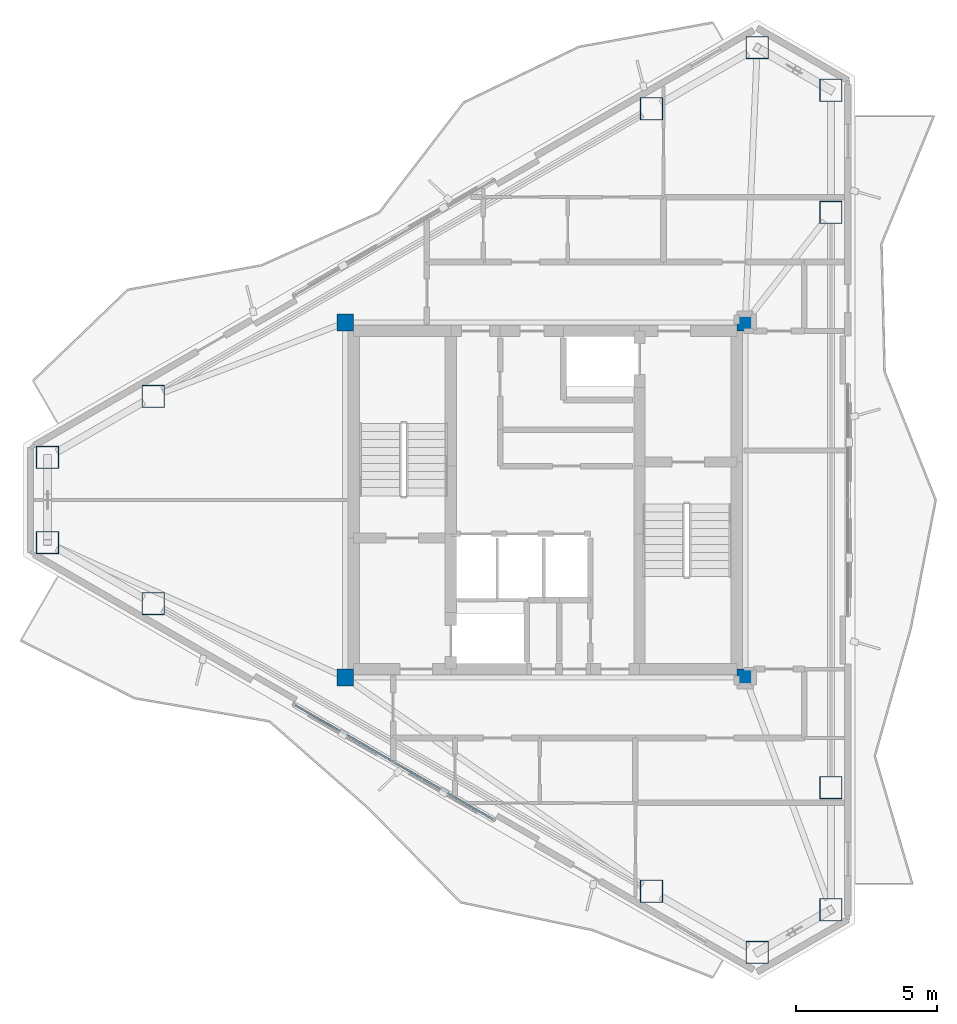
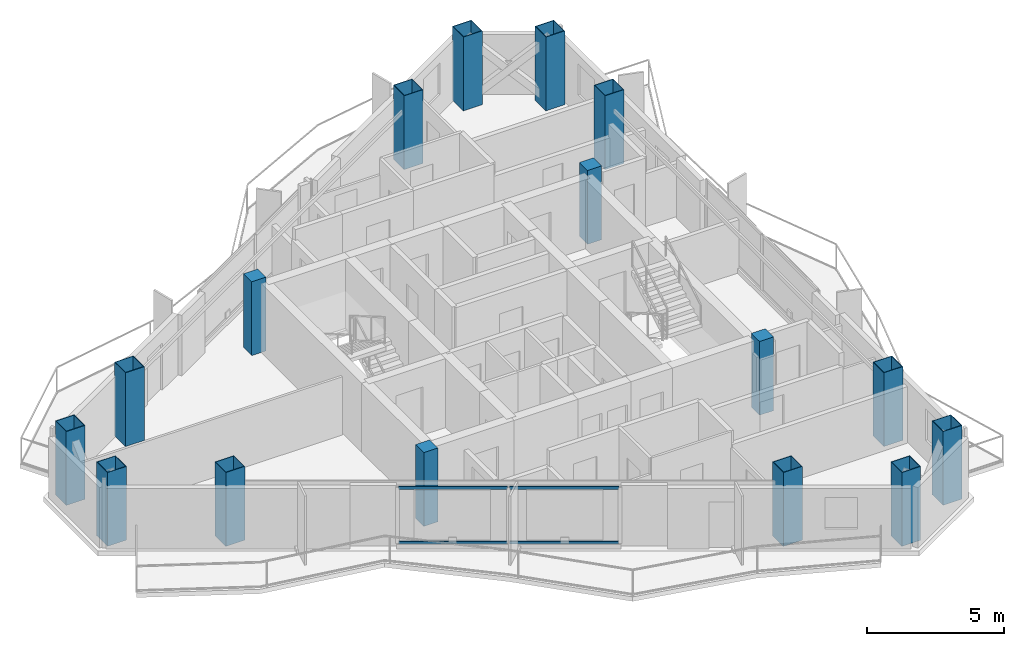
# One storey, part 1 of 18: 16 columns, 4 members, 1 element without a shape of its own.
"""IFC4 building model written with IfcOpenShell, lengths in metres."""

from ifc_helpers import new_model, si_unit, direction, frame, origin, origin_2d, place, context, subcontext, project, spatial, rectangle, hollow_rectangle, extrude, material, layer, layer_set, material_profile, profile_set, type_object, element, aggregate, save


model = new_model("IFC4")

# Units and contexts
model_context = context("Model", 3, precision=1e-05, world=origin(), true_north=direction((0.0, 1.0)))
body_context = subcontext(model_context, "Body", "Model", "MODEL_VIEW")
ifc_project = project(units=[si_unit("LENGTHUNIT", "METRE"), si_unit("AREAUNIT", "SQUARE_METRE"), si_unit("VOLUMEUNIT", "CUBIC_METRE"), si_unit("PLANEANGLEUNIT", "RADIAN"), si_unit("MASSUNIT", "GRAM", prefix="KILO")], contexts=[model_context])

# Site, building, storey
site_placement = place(None, origin())
site = spatial("IfcSite", under=ifc_project, at=site_placement, CompositionType="ELEMENT")
building_placement = place(site_placement, origin())
building = spatial("IfcBuilding", under=site, at=building_placement, Name="Mersakhor Tower and Convention Hall", CompositionType="ELEMENT")
storey_placement = place(building_placement, frame((0.0, 0.0, 229.800048828125)))
storey = spatial("IfcBuildingStorey", under=building, at=storey_placement, Name="L64", CompositionType="ELEMENT", Elevation=229.800048828125)

# Columns
ifc_material_1 = material(Name="Concrete C50/60 in S460M steel box", Category="concrete")
ifc_material_profile_1 = material_profile(ifc_material_1, hollow_rectangle(XDim=0.800048828125, YDim=0.800048828125, WallThickness=0.02490234375, at=origin_2d()), Name="SHS 800x800x25")
ifc_profile_set_1 = profile_set([ifc_material_profile_1], Name="Concrete C50/60 in S460M steel box")
column_type_1 = type_object("IfcColumnType", Name="COL-CFT-800", PredefinedType="COLUMN", material=ifc_profile_set_1)
for number, where, z_axis, x_axis, name in (
    (1, (11.33203125, 28.26123046875, 0.0), (0.0, 0.0, 1.0), (1.0, 0.0, 0.0), "L64 Perimeter Mega-Column MC-01"),
    (2, (15.085693359375, 30.428466796875, 0.0), (0.0, 0.0, 1.0), (1.0, 0.0, 0.0), "L64 Perimeter Mega-Column MC-02"),
    (3, (32.771484375, 40.639404296875, 0.0), (0.0, 0.0, 1.0), (1.0, 0.0, 0.0), "L64 Perimeter Mega-Column MC-03"),
    (4, (36.525146484375, 42.806640625, 0.0), (0.0, 0.0, 1.0), (1.0, 0.0, 0.0), "L64 Perimeter Mega-Column MC-04"),
    (5, (39.142822265625, 41.29541015625, 0.0), (0.0, 0.0, 1.0), (1.0, 0.0, 0.0), "L64 Perimeter Mega-Column MC-05"),
    (6, (39.142822265625, 36.960693359375, 0.0), (0.0, 0.0, 1.0), (1.0, 0.0, 0.0), "L64 Perimeter Mega-Column MC-06"),
    (7, (39.142822265625, 16.539306640625, 0.0), (0.0, 0.0, 1.0), (1.0, 0.0, 0.0), "L64 Perimeter Mega-Column MC-07"),
    (8, (39.142822265625, 12.20458984375, 0.0), (0.0, 0.0, 1.0), (1.0, 0.0, 0.0), "L64 Perimeter Mega-Column MC-08"),
    (9, (36.525146484375, 10.693359375, 0.0), (0.0, 0.0, 1.0), (1.0, 0.0, 0.0), "L64 Perimeter Mega-Column MC-09"),
    (10, (32.771484375, 12.860595703125, 0.0), (0.0, 0.0, 1.0), (1.0, 0.0, 0.0), "L64 Perimeter Mega-Column MC-10"),
    (11, (15.085693359375, 23.071533203125, 0.0), (0.0, 0.0, 1.0), (1.0, 0.0, 0.0), "L64 Perimeter Mega-Column MC-11"),
    (12, (11.33203125, 25.23876953125, 0.0), (0.0, 0.0, 1.0), (1.0, 0.0, 0.0), "L64 Perimeter Mega-Column MC-12"),
):
    element("IfcColumn", number, at=place(storey_placement, frame(where, z_axis=z_axis, x_axis=x_axis)), inside=storey, type_object=column_type_1, Name=name, PredefinedType="COLUMN", context=body_context, shape_type="SweptSolid", body=[
        extrude(hollow_rectangle(XDim=0.800048828125, YDim=0.800048828125, WallThickness=0.02490234375, at=origin_2d()), origin(), (0.0, 0.0, 1.0), 3.300048828125),
    ])
ifc_material_2 = material(Name="Concrete C50/60", Category="concrete")
ifc_material_profile_2 = material_profile(ifc_material_2, rectangle(XDim=0.60009765625, YDim=0.60009765625, at=origin_2d()), Name="RC 600x600")
ifc_profile_set_2 = profile_set([ifc_material_profile_2], Name="Concrete C50/60")
column_type_2 = type_object("IfcColumnType", Name="COL-RC-600", PredefinedType="COLUMN", material=ifc_profile_set_2)
for number, where, z_axis, x_axis, name in (
    (13, (21.89990234375, 20.449951171875, 0.0), (0.0, 0.0, 1.0), (1.0, 0.0, 0.0), "L64 Core Corner Column CC-1"),
    (14, (21.89990234375, 33.050048828125, 0.0), (0.0, 0.0, 1.0), (1.0, 0.0, 0.0), "L64 Core Corner Column CC-2"),
    (15, (36.10009765625, 33.050048828125, 0.0), (0.0, 0.0, 1.0), (1.0, 0.0, 0.0), "L64 Core Corner Column CC-3"),
    (16, (36.10009765625, 20.449951171875, 0.0), (0.0, 0.0, 1.0), (1.0, 0.0, 0.0), "L64 Core Corner Column CC-4"),
):
    element("IfcColumn", number, at=place(storey_placement, frame(where, z_axis=z_axis, x_axis=x_axis)), inside=storey, type_object=column_type_2, Name=name, PredefinedType="COLUMN", context=body_context, shape_type="SweptSolid", body=[
        extrude(rectangle(XDim=0.60009765625, YDim=0.60009765625, at=origin_2d()), origin(), (0.0, 0.0, 1.0), 3.300048828125),
    ])

# Curtain wall, members
ifc_material_3 = material(Name="Dark solar low-E aluminium curtain wall", Category="aluminium")
ifc_layer = layer(ifc_material_3, 0.179931640625)
ifc_layer_set = layer_set([ifc_layer], Name="Dark solar low-E aluminium curtain wall")
curtain_wall_type = type_object("IfcCurtainWallType", Name="CW-SYS-03", PredefinedType="USERDEFINED", material=ifc_layer_set)
curtain_wall_placement = place(storey_placement, origin())
curtain_wall = element("IfcCurtainWall", 17, at=curtain_wall_placement, inside=storey, type_object=curtain_wall_type, Name="L64 Dark-Glass Curtain Wall F3-B2", ObjectType="CURTAIN WALL", PredefinedType="USERDEFINED")
ifc_material_4 = material(Name="Anodised aluminium EN AW-6063 T6", Category="aluminium")
ifc_material_profile_3 = material_profile(ifc_material_4, hollow_rectangle(XDim=0.06005859375, YDim=0.1201171875, WallThickness=0.0048828125, at=origin_2d()), Name="RHS 120x60x5")
ifc_profile_set_3 = profile_set([ifc_material_profile_3], Name="Anodised aluminium EN AW-6063 T6")
member_type = type_object("IfcMemberType", Name="CWT-120x60", PredefinedType="USERDEFINED", material=ifc_profile_set_3)
member_1_placement = place(storey_placement, frame((27.12646484375, 15.427001953125, 0.22998046875), z_axis=(-0.866023018642, 0.500004131166, 0.0), x_axis=(-0.500004131166, -0.866023018642, 0.0)))
member_1 = element("IfcMember", 18, at=member_1_placement, type_object=member_type, Name="CW-03 transom 1.1", ObjectType="TRANSOM", PredefinedType="USERDEFINED", context=body_context, shape_type="SweptSolid", body=[
    extrude(hollow_rectangle(XDim=0.06005859375, YDim=0.1201171875, WallThickness=0.0048828125, at=origin_2d()), origin(), (0.0, 0.0, 1.0), 4.00146484375),
])
member_2_placement = place(storey_placement, frame((27.12646484375, 15.427001953125, 2.669921875), z_axis=(-0.866023018642, 0.500004131166, 0.0), x_axis=(-0.500004131166, -0.866023018642, 0.0)))
member_2 = element("IfcMember", 19, at=member_2_placement, type_object=member_type, Name="CW-03 transom 1.2", ObjectType="TRANSOM", PredefinedType="USERDEFINED", context=body_context, shape_type="SweptSolid", body=[
    extrude(hollow_rectangle(XDim=0.06005859375, YDim=0.1201171875, WallThickness=0.0048828125, at=origin_2d()), origin(), (0.0, 0.0, 1.0), 4.00146484375),
])
member_3_placement = place(storey_placement, frame((23.59619140625, 17.465087890625, 0.22998046875), z_axis=(-0.866023018642, 0.500004131166, 0.0), x_axis=(-0.500004131166, -0.866023018642, 0.0)))
member_3 = element("IfcMember", 20, at=member_3_placement, type_object=member_type, Name="CW-03 transom 2.1", ObjectType="TRANSOM", PredefinedType="USERDEFINED", context=body_context, shape_type="SweptSolid", body=[
    extrude(hollow_rectangle(XDim=0.06005859375, YDim=0.1201171875, WallThickness=0.0048828125, at=origin_2d()), origin(), (0.0, 0.0, 1.0), 4.00146484375),
])
member_4_placement = place(storey_placement, frame((23.59619140625, 17.465087890625, 2.669921875), z_axis=(-0.866023018642, 0.500004131166, 0.0), x_axis=(-0.500004131166, -0.866023018642, 0.0)))
member_4 = element("IfcMember", 21, at=member_4_placement, type_object=member_type, Name="CW-03 transom 2.2", ObjectType="TRANSOM", PredefinedType="USERDEFINED", context=body_context, shape_type="SweptSolid", body=[
    extrude(hollow_rectangle(XDim=0.06005859375, YDim=0.1201171875, WallThickness=0.0048828125, at=origin_2d()), origin(), (0.0, 0.0, 1.0), 4.00146484375),
])
aggregate(curtain_wall, [member_1, member_2, member_3, member_4])

save(model, "model.ifc")
